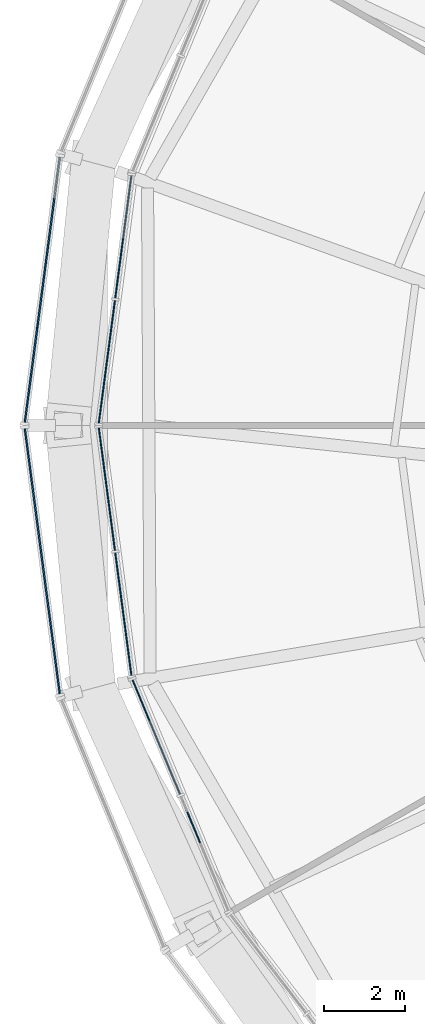
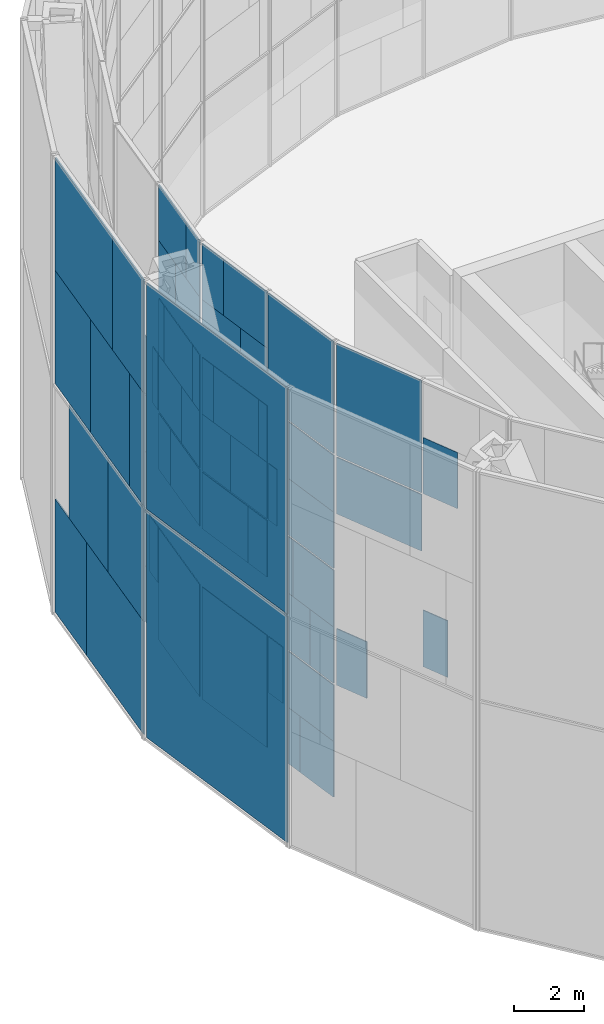
# One storey, part 16 of 30: 63 plates, 5 elements without a shape of their own.
"""IFC4 building model written with IfcOpenShell, lengths in metres."""

import ifcopenshell
import ifcopenshell.guid

model = None  # the IFC model being written
_history = None  # IfcOwnerHistory: only IFC2X3 demands one
_inside = {}  # id of a spatial element -> (the spatial element, [elements in it])
_under = {}  # id of a project, library or spatial element -> (it, [spatial elements below it])
_declared = {}  # id of a project -> (the project, [libraries it declares])
_typed = {}  # id of a type object -> (the type object, [elements of that type])
_made_of = {}  # id of a material, layer set ... -> (it, [elements and type objects made of it])


def new_model(schema):
    """Start an empty IFC model of exactly this schema.

    Asked for "IFC4X3", IfcOpenShell would pick the latest addendum, in which some entities
    have other attributes; the version numbers below select the first issue.
    IFC2X3 requires an IfcOwnerHistory on every rooted entity: one is made here for all.
    """
    global model, _history
    if schema == "IFC4X3":
        model = ifcopenshell.file(schema_version=(4, 3, 0, 0))
    else:
        model = ifcopenshell.file(schema=schema)
    _inside.clear()
    _under.clear()
    _declared.clear()
    _typed.clear()
    _made_of.clear()
    _history = None
    if model.schema == "IFC2X3":
        org = make("IfcOrganization", Name="unknown")
        user = make(
            "IfcPersonAndOrganization",
            ThePerson=make("IfcPerson", FamilyName="unknown"),
            TheOrganization=org,
        )
        app = make(
            "IfcApplication",
            ApplicationDeveloper=org,
            Version="unknown",
            ApplicationFullName="unknown",
            ApplicationIdentifier="unknown",
        )
        _history = make(
            "IfcOwnerHistory",
            OwningUser=user,
            OwningApplication=app,
            ChangeAction="ADDED",
            CreationDate=0,
        )
    return model


def make(cls, **values):
    """One entity of the class cls with the attributes given. An attribute that is None is left unset."""
    return model.create_entity(
        cls, **{name: value for name, value in values.items() if value is not None}
    )


def rooted(cls, **values):
    """An entity with a GlobalId (a new one), such as an element, a storey or a relation."""
    return make(cls, GlobalId=ifcopenshell.guid.new(), OwnerHistory=_history, **values)


def si_unit(unit_type, name, prefix=None):
    """IfcSIUnit, for example si_unit("LENGTHUNIT", "METRE", prefix="MILLI")."""
    return make("IfcSIUnit", UnitType=unit_type, Prefix=prefix, Name=name)


def assignment(units):
    """IfcUnitAssignment: the units of a project."""
    return None if units is None else make("IfcUnitAssignment", Units=units)


def point(xyz):
    """IfcCartesianPoint."""
    return None if xyz is None else make("IfcCartesianPoint", Coordinates=xyz)


def direction(xyz):
    """IfcDirection."""
    return None if xyz is None else make("IfcDirection", DirectionRatios=xyz)


def frame(location, z_axis=None, x_axis=None):
    """IfcAxis2Placement3D, a coordinate frame: its origin and axes. An axis left out is left unset."""
    return make(
        "IfcAxis2Placement3D",
        Location=point(location),
        Axis=direction(z_axis),
        RefDirection=direction(x_axis),
    )


def frame_2d(location, x_axis=None):
    """IfcAxis2Placement2D, a coordinate frame in the plane: its origin and x axis."""
    return make(
        "IfcAxis2Placement2D", Location=point(location), RefDirection=direction(x_axis)
    )


def origin():
    """The frame at (0, 0, 0) with its axes left unset."""
    return frame((0.0, 0.0, 0.0))


def origin_2d():
    """The frame at (0, 0) in the plane with its x axis left unset."""
    return frame_2d((0.0, 0.0))


def place(relative_to, where):
    """IfcLocalPlacement: puts the frame where relative to a parent placement (None: the world)."""
    return make(
        "IfcLocalPlacement", PlacementRelTo=relative_to, RelativePlacement=where
    )


def context(
    kind, dimensions, precision=None, world=None, true_north=None, identifier=None
):
    """IfcGeometricRepresentationContext, for example the 3D "Model" context."""
    return make(
        "IfcGeometricRepresentationContext",
        ContextIdentifier=identifier,
        ContextType=kind,
        CoordinateSpaceDimension=dimensions,
        Precision=precision,
        WorldCoordinateSystem=world,
        TrueNorth=true_north,
    )


def subcontext(parent, identifier, kind, view, scale=None):
    """IfcGeometricRepresentationSubContext, for example "Body" below "Model"."""
    return make(
        "IfcGeometricRepresentationSubContext",
        ContextIdentifier=identifier,
        ContextType=kind,
        ParentContext=parent,
        TargetScale=scale,
        TargetView=view,
    )


def project(units=None, contexts=None):
    """IfcProject with its units and contexts."""
    return rooted(
        "IfcProject",
        Name="project",
        RepresentationContexts=contexts,
        UnitsInContext=assignment(units),
    )


def spatial(cls, under=None, at=None, **own):
    """A site, building, storey or space (cls), placed at a placement, below another one or the project."""
    s = rooted(cls, ObjectPlacement=at, **own)
    if under is not None:
        _under.setdefault(under.id(), (under, []))[1].append(s)
    return s


def profile(cls, at=None, kind="AREA", **sizes):
    """A parametric profile (cls). Its sizes go by their IFC names, for example OverallWidth=200.0."""
    return make(cls, ProfileType=kind, Position=at, **sizes)


def rectangle(**sizes):
    """IfcRectangleProfileDef."""
    return profile("IfcRectangleProfileDef", **sizes)


def extrude(swept, where, along, depth):
    """IfcExtrudedAreaSolid: the profile swept, set in the frame where, extruded along a direction by depth."""
    return make(
        "IfcExtrudedAreaSolid",
        SweptArea=swept,
        Position=where,
        ExtrudedDirection=direction(along),
        Depth=depth,
    )


def shape(context_of_items, identifier, shape_type, items):
    """IfcShapeRepresentation: the items that make up one representation, for example the "Body"."""
    return make(
        "IfcShapeRepresentation",
        ContextOfItems=context_of_items,
        RepresentationIdentifier=identifier,
        RepresentationType=shape_type,
        Items=items,
    )


def material(Name=None, Category=None):
    """IfcMaterial."""
    return make("IfcMaterial", Name=Name, Category=Category)


def layer(
    of_material, thickness, ventilated=None, Name=None, Category=None, Priority=None
):
    """IfcMaterialLayer: one layer of a wall or slab, of a material (None: an air gap)."""
    return make(
        "IfcMaterialLayer",
        Material=of_material,
        LayerThickness=thickness,
        IsVentilated=ventilated,
        Name=Name,
        Category=Category,
        Priority=Priority,
    )


def layer_set(layers, Name=None):
    """IfcMaterialLayerSet."""
    return make("IfcMaterialLayerSet", MaterialLayers=layers, LayerSetName=Name)


def made_of(thing, what):
    """Note that an element or type object is made of a material, layer set ...; save() writes the relation."""
    if what is not None:
        _made_of.setdefault(what.id(), (what, []))[1].append(thing)
    return thing


def type_object(cls, material=None, **own):
    """A type object (cls), such as IfcWallType, which elements share."""
    return made_of(rooted(cls, **own), material)


def element(
    cls,
    number,
    at=None,
    inside=None,
    cuts=None,
    type_object=None,
    material=None,
    context=None,
    identifier="Body",
    shape_type=None,
    held_by="IfcProductDefinitionShape",
    body=None,
    shapes=None,
    **own,
):
    """One element of the class cls, such as IfcWall. Its Tag is "e" and its number.

    at: its placement. inside: the storey or other place that contains it. cuts: it is an
    opening in that element (IfcRelVoidsElement). A single representation is given by context,
    identifier, shape_type and body (its items); several are given by shapes. held_by: the class
    of the entity that holds the representations. save() writes the other relations.
    """
    e = rooted(cls, Tag="e%d" % number, ObjectPlacement=at, **own)
    if body is not None:
        shapes = [shape(context, identifier, shape_type, body)]
    if shapes is not None:
        e.Representation = make(held_by, Representations=shapes)
    if inside is not None:
        _inside.setdefault(inside.id(), (inside, []))[1].append(e)
    if cuts is not None:
        rooted(
            "IfcRelVoidsElement", RelatingBuildingElement=cuts, RelatedOpeningElement=e
        )
    if type_object is not None:
        _typed.setdefault(type_object.id(), (type_object, []))[1].append(e)
    return made_of(e, material)


def aggregate(whole, parts):
    """IfcRelAggregates: a whole, such as a stair, and the parts it consists of."""
    return rooted("IfcRelAggregates", RelatingObject=whole, RelatedObjects=parts)


def save(model, path):
    """Write the relations noted so far, then the file.

    IfcRelAggregates (storeys below a building ...), IfcRelContainedInSpatialStructure (elements
    in a storey), IfcRelDefinesByType, IfcRelAssociatesMaterial and IfcRelDeclares: one each for
    every whole, place, type object, material and project.
    """
    for whole, parts in _under.values():
        aggregate(whole, parts)
    for where, things in _inside.values():
        rooted(
            "IfcRelContainedInSpatialStructure",
            RelatedElements=things,
            RelatingStructure=where,
        )
    for kind, things in _typed.values():
        rooted("IfcRelDefinesByType", RelatedObjects=things, RelatingType=kind)
    for what, things in _made_of.values():
        rooted("IfcRelAssociatesMaterial", RelatedObjects=things, RelatingMaterial=what)
    for by, libraries in _declared.values():
        rooted("IfcRelDeclares", RelatingContext=by, RelatedDefinitions=libraries)
    model.write(path)


model = new_model("IFC4")

# Units and contexts
model_context = context("Model", 3, precision=1e-05, world=origin(), true_north=direction((0.0, 1.0)))
body_context = subcontext(model_context, "Body", "Model", "MODEL_VIEW")
ifc_project = project(units=[si_unit("LENGTHUNIT", "METRE"), si_unit("AREAUNIT", "SQUARE_METRE"), si_unit("VOLUMEUNIT", "CUBIC_METRE"), si_unit("PLANEANGLEUNIT", "RADIAN"), si_unit("MASSUNIT", "GRAM", prefix="KILO")], contexts=[model_context])

# Site, building, storey
site_placement = place(None, origin())
site = spatial("IfcSite", under=ifc_project, at=site_placement, CompositionType="ELEMENT")
building_placement = place(site_placement, origin())
building = spatial("IfcBuilding", under=site, at=building_placement, Name="Golbaran Civic Tower", CompositionType="ELEMENT")
storey_placement = place(building_placement, frame((0.0, 0.0, 167.0)))
storey = spatial("IfcBuildingStorey", under=building, at=storey_placement, Name="L40", CompositionType="ELEMENT", Elevation=167.0)

# Curtain wall, plates
ifc_material_1 = material(Name="Aluminium and glass", Category="aluminium")
curtain_wall_type_1 = type_object("IfcCurtainWallType", Name="INNER SKIN CURTAIN WALL EXECUTIVE", PredefinedType="NOTDEFINED", material=ifc_material_1)
curtain_wall_1_placement = place(storey_placement, origin())
curtain_wall_1 = element("IfcCurtainWall", 1, at=curtain_wall_1_placement, inside=storey, type_object=curtain_wall_type_1, Name="Inner skin L40 facet 12 CW2", ObjectType="INNER SKIN", PredefinedType="USERDEFINED")
ifc_material_2 = material(Name="Clear insulating glass", Category="glass")
ifc_layer_1 = layer(ifc_material_2, 0.031982421875, Name="Clear insulating glass")
ifc_layer_set_1 = layer_set([ifc_layer_1], Name="Clear insulating glass")
plate_type_1 = type_object("IfcPlateType", Name="INNER SKIN CURTAIN WALL EXECUTIVE GLAZED PANEL", PredefinedType="CURTAIN_PANEL", material=ifc_layer_set_1)
plate_1_placement = place(storey_placement, frame((-23.572265625, 3.879638671875, 0.06005859375), z_axis=(0.0, 0.0, 1.0), x_axis=(-0.130526192151, -0.991444861383, 0.0)))
plate_1 = element("IfcPlate", 2, at=plate_1_placement, type_object=plate_type_1, Name="CW2 panel 1.1 part 2", PredefinedType="CURTAIN_PANEL", context=body_context, shape_type="SweptSolid", body=[
    extrude(rectangle(XDim=1.4794921875, YDim=0.031982421875, at=origin_2d()), origin(), (0.0, 0.0, 1.0), 1.955078125),
])
plate_2_placement = place(storey_placement, frame((-23.624267578125, 3.485107421875, 2.014892578125), z_axis=(0.0, 0.0, 1.0), x_axis=(-0.130526192151, -0.991444861383, 0.0)))
plate_2 = element("IfcPlate", 3, at=plate_2_placement, type_object=plate_type_1, Name="CW2 panel 1.1 part 4", PredefinedType="CURTAIN_PANEL", context=body_context, shape_type="SweptSolid", body=[
    extrude(rectangle(XDim=0.683349609375, YDim=0.031982421875, at=origin_2d()), origin(), (0.0, 0.0, 1.0), 1.955078125),
])
plate_3_placement = place(storey_placement, frame((-23.443359375, 4.85888671875, 8.02978515625), z_axis=(0.0, 0.0, 1.0), x_axis=(-0.130526192151, -0.991444861383, 0.0)))
plate_3 = element("IfcPlate", 4, at=plate_3_placement, type_object=plate_type_1, Name="CW2 panel 1.3 part 1", PredefinedType="CURTAIN_PANEL", context=body_context, shape_type="SweptSolid", body=[
    extrude(rectangle(XDim=2.652099609375, YDim=0.031982421875, at=origin_2d()), origin(), (0.0, 0.0, 1.0), 1.969970703125),
])
plate_4_placement = place(storey_placement, frame((-23.8759765625, 1.5732421875, 0.06005859375), z_axis=(0.0, 0.0, 1.0), x_axis=(-0.130526192151, -0.991444861383, 0.0)))
plate_4 = element("IfcPlate", 5, at=plate_4_placement, type_object=plate_type_1, Name="CW2 panel 2.1", PredefinedType="CURTAIN_PANEL", context=body_context, shape_type="SweptSolid", body=[
    extrude(rectangle(XDim=3.053466796875, YDim=0.031982421875, at=origin_2d()), origin(), (0.0, 0.0, 1.0), 3.909912109375),
])
plate_5_placement = place(storey_placement, frame((-23.902099609375, 1.374267578125, 4.02978515625), z_axis=(0.0, 0.0, 1.0), x_axis=(-0.130526192151, -0.991444861383, 0.0)))
plate_5 = element("IfcPlate", 6, at=plate_5_placement, type_object=plate_type_1, Name="CW2 panel 2.2 part 2", PredefinedType="CURTAIN_PANEL", context=body_context, shape_type="SweptSolid", body=[
    extrude(rectangle(XDim=2.65234375, YDim=0.031982421875, at=origin_2d()), origin(), (0.0, 0.0, 1.0), 1.969970703125),
])
plate_6_placement = place(storey_placement, frame((-23.93359375, 1.134521484375, 6.0), z_axis=(0.0, 0.0, 1.0), x_axis=(-0.130526192151, -0.991444861383, 0.0)))
plate_6 = element("IfcPlate", 7, at=plate_6_placement, type_object=plate_type_1, Name="CW2 panel 2.2 part 4", PredefinedType="CURTAIN_PANEL", context=body_context, shape_type="SweptSolid", body=[
    extrude(rectangle(XDim=2.16845703125, YDim=0.031982421875, at=origin_2d()), origin(), (0.0, 0.0, 1.0), 1.969970703125),
])
plate_7_placement = place(storey_placement, frame((-23.987548828125, 0.724853515625, 8.02978515625), z_axis=(0.0, 0.0, 1.0), x_axis=(-0.130526192151, -0.991444861383, 0.0)))
plate_7 = element("IfcPlate", 8, at=plate_7_placement, type_object=plate_type_1, Name="CW2 panel 2.3 part 2", PredefinedType="CURTAIN_PANEL", context=body_context, shape_type="SweptSolid", body=[
    extrude(rectangle(XDim=1.342529296875, YDim=0.031982421875, at=origin_2d()), origin(), (0.0, 0.0, 1.0), 1.969970703125),
])
plate_8_placement = place(storey_placement, frame((-23.703125, 2.885009765625, 10.0), z_axis=(0.0, 0.0, 1.0), x_axis=(-0.130526192151, -0.991444861383, 0.0)))
plate_8 = element("IfcPlate", 9, at=plate_8_placement, type_object=plate_type_1, Name="CW2 panel 2.3 part 3", PredefinedType="CURTAIN_PANEL", context=body_context, shape_type="SweptSolid", body=[
    extrude(rectangle(XDim=0.406982421875, YDim=0.031982421875, at=origin_2d()), origin(), (0.0, 0.0, 1.0), 1.969970703125),
])
plate_9_placement = place(storey_placement, frame((-24.0400390625, 0.326904296875, 10.0), z_axis=(0.0, 0.0, 1.0), x_axis=(-0.130526192151, -0.991444861383, 0.0)))
plate_9 = element("IfcPlate", 10, at=plate_9_placement, type_object=plate_type_1, Name="CW2 panel 2.3 part 5", PredefinedType="CURTAIN_PANEL", context=body_context, shape_type="SweptSolid", body=[
    extrude(rectangle(XDim=0.53955078125, YDim=0.031982421875, at=origin_2d()), origin(), (0.0, 0.0, 1.0), 1.969970703125),
])
plate_10_placement = place(storey_placement, frame((-23.757080078125, 2.47509765625, 12.030029296875), z_axis=(0.0, 0.0, 1.0), x_axis=(-0.130526192151, -0.991444861383, 0.0)))
plate_10 = element("IfcPlate", 11, at=plate_10_placement, type_object=plate_type_1, Name="CW2 panel 2.4 part 1", PredefinedType="CURTAIN_PANEL", context=body_context, shape_type="SweptSolid", body=[
    extrude(rectangle(XDim=1.23388671875, YDim=0.031982421875, at=origin_2d()), origin(), (0.0, 0.0, 1.0), 1.955078125),
])
plate_11_placement = place(storey_placement, frame((-23.80908203125, 2.08056640625, 13.98486328125), z_axis=(0.0, 0.0, 1.0), x_axis=(-0.130526192151, -0.991444861383, 0.0)))
plate_11 = element("IfcPlate", 12, at=plate_11_placement, type_object=plate_type_1, Name="CW2 panel 2.4 part 3", PredefinedType="CURTAIN_PANEL", context=body_context, shape_type="SweptSolid", body=[
    extrude(rectangle(XDim=2.030029296875, YDim=0.031982421875, at=origin_2d()), origin(), (0.0, 0.0, 1.0), 1.955078125),
])

curtain_wall_2_placement = place(storey_placement, origin())
curtain_wall_2 = element("IfcCurtainWall", 13, at=curtain_wall_2_placement, inside=storey, type_object=curtain_wall_type_1, Name="Inner skin L40 facet 13 CW2", ObjectType="INNER SKIN", PredefinedType="USERDEFINED")
plate_12_placement = place(storey_placement, frame((-23.8759765625, -1.5732421875, 0.06005859375), z_axis=(0.0, 0.0, 1.0), x_axis=(0.130526192151, -0.991444861383, 0.0)))
plate_12 = element("IfcPlate", 14, at=plate_12_placement, type_object=plate_type_1, Name="CW2 panel 1.1", PredefinedType="CURTAIN_PANEL", context=body_context, shape_type="SweptSolid", body=[
    extrude(rectangle(XDim=3.053466796875, YDim=0.031982421875, at=origin_2d()), origin(), (0.0, 0.0, 1.0), 3.909912109375),
])
plate_13_placement = place(storey_placement, frame((-23.902099609375, -1.3740234375, 4.02978515625), z_axis=(0.0, 0.0, 1.0), x_axis=(0.130526192151, -0.991444861383, 0.0)))
plate_13 = element("IfcPlate", 15, at=plate_13_placement, type_object=plate_type_1, Name="CW2 panel 1.2 part 1", PredefinedType="CURTAIN_PANEL", context=body_context, shape_type="SweptSolid", body=[
    extrude(rectangle(XDim=2.652099609375, YDim=0.031982421875, at=origin_2d()), origin(), (0.0, 0.0, 1.0), 1.969970703125),
])
plate_14_placement = place(storey_placement, frame((-23.93359375, -1.134765625, 6.0), z_axis=(0.0, 0.0, 1.0), x_axis=(0.130526192151, -0.991444861383, 0.0)))
plate_14 = element("IfcPlate", 16, at=plate_14_placement, type_object=plate_type_1, Name="CW2 panel 1.2 part 3", PredefinedType="CURTAIN_PANEL", context=body_context, shape_type="SweptSolid", body=[
    extrude(rectangle(XDim=2.1689453125, YDim=0.031982421875, at=origin_2d()), origin(), (0.0, 0.0, 1.0), 1.969970703125),
])
plate_15_placement = place(storey_placement, frame((-23.987548828125, -0.724853515625, 8.02978515625), z_axis=(0.0, 0.0, 1.0), x_axis=(0.130526192151, -0.991444861383, 0.0)))
plate_15 = element("IfcPlate", 17, at=plate_15_placement, type_object=plate_type_1, Name="CW2 panel 1.3 part 1", PredefinedType="CURTAIN_PANEL", context=body_context, shape_type="SweptSolid", body=[
    extrude(rectangle(XDim=1.342041015625, YDim=0.031982421875, at=origin_2d()), origin(), (0.0, 0.0, 1.0), 1.969970703125),
])
plate_16_placement = place(storey_placement, frame((-24.0400390625, -0.3271484375, 10.0), z_axis=(0.0, 0.0, 1.0), x_axis=(0.130526192151, -0.991444861383, 0.0)))
plate_16 = element("IfcPlate", 18, at=plate_16_placement, type_object=plate_type_1, Name="CW2 panel 1.3 part 3", PredefinedType="CURTAIN_PANEL", context=body_context, shape_type="SweptSolid", body=[
    extrude(rectangle(XDim=0.5400390625, YDim=0.031982421875, at=origin_2d()), origin(), (0.0, 0.0, 1.0), 1.969970703125),
])
plate_17_placement = place(storey_placement, frame((-23.703125, -2.884765625, 10.0), z_axis=(0.0, 0.0, 1.0), x_axis=(0.130526192151, -0.991444861383, 0.0)))
plate_17 = element("IfcPlate", 19, at=plate_17_placement, type_object=plate_type_1, Name="CW2 panel 1.3 part 5", PredefinedType="CURTAIN_PANEL", context=body_context, shape_type="SweptSolid", body=[
    extrude(rectangle(XDim=0.407470703125, YDim=0.031982421875, at=origin_2d()), origin(), (0.0, 0.0, 1.0), 1.969970703125),
])
plate_18_placement = place(storey_placement, frame((-23.757080078125, -2.475341796875, 12.030029296875), z_axis=(0.0, 0.0, 1.0), x_axis=(0.130526192151, -0.991444861383, 0.0)))
plate_18 = element("IfcPlate", 20, at=plate_18_placement, type_object=plate_type_1, Name="CW2 panel 1.4 part 2", PredefinedType="CURTAIN_PANEL", context=body_context, shape_type="SweptSolid", body=[
    extrude(rectangle(XDim=1.2333984375, YDim=0.031982421875, at=origin_2d()), origin(), (0.0, 0.0, 1.0), 1.955078125),
])
plate_19_placement = place(storey_placement, frame((-23.80908203125, -2.080810546875, 13.98486328125), z_axis=(0.0, 0.0, 1.0), x_axis=(0.130526192151, -0.991444861383, 0.0)))
plate_19 = element("IfcPlate", 21, at=plate_19_placement, type_object=plate_type_1, Name="CW2 panel 1.4 part 4", PredefinedType="CURTAIN_PANEL", context=body_context, shape_type="SweptSolid", body=[
    extrude(rectangle(XDim=2.029541015625, YDim=0.031982421875, at=origin_2d()), origin(), (0.0, 0.0, 1.0), 1.955078125),
])
plate_20_placement = place(storey_placement, frame((-23.572265625, -3.8798828125, 0.06005859375), z_axis=(0.0, 0.0, 1.0), x_axis=(0.130526192151, -0.991444861383, 0.0)))
plate_20 = element("IfcPlate", 22, at=plate_20_placement, type_object=plate_type_1, Name="CW2 panel 2.1 part 1", PredefinedType="CURTAIN_PANEL", context=body_context, shape_type="SweptSolid", body=[
    extrude(rectangle(XDim=1.47998046875, YDim=0.031982421875, at=origin_2d()), origin(), (0.0, 0.0, 1.0), 1.955078125),
])
plate_21_placement = place(storey_placement, frame((-23.6240234375, -3.4853515625, 2.014892578125), z_axis=(0.0, 0.0, 1.0), x_axis=(0.130526192151, -0.991444861383, 0.0)))
plate_21 = element("IfcPlate", 23, at=plate_21_placement, type_object=plate_type_1, Name="CW2 panel 2.1 part 3", PredefinedType="CURTAIN_PANEL", context=body_context, shape_type="SweptSolid", body=[
    extrude(rectangle(XDim=0.68408203125, YDim=0.031982421875, at=origin_2d()), origin(), (0.0, 0.0, 1.0), 1.955078125),
])
plate_22_placement = place(storey_placement, frame((-23.34130859375, -5.633544921875, 4.02978515625), z_axis=(0.0, 0.0, 1.0), x_axis=(0.130526192151, -0.991444861383, 0.0)))
plate_22 = element("IfcPlate", 24, at=plate_22_placement, type_object=plate_type_1, Name="CW2 panel 2.2 part 2", PredefinedType="CURTAIN_PANEL", context=body_context, shape_type="SweptSolid", body=[
    extrude(rectangle(XDim=1.08935546875, YDim=0.031982421875, at=origin_2d()), origin(), (0.0, 0.0, 1.0), 1.969970703125),
])
plate_23_placement = place(storey_placement, frame((-23.393798828125, -5.235595703125, 6.0), z_axis=(0.0, 0.0, 1.0), x_axis=(0.130526192151, -0.991444861383, 0.0)))
plate_23 = element("IfcPlate", 25, at=plate_23_placement, type_object=plate_type_1, Name="CW2 panel 2.2 part 4", PredefinedType="CURTAIN_PANEL", context=body_context, shape_type="SweptSolid", body=[
    extrude(rectangle(XDim=1.892578125, YDim=0.031982421875, at=origin_2d()), origin(), (0.0, 0.0, 1.0), 1.969970703125),
])
plate_24_placement = place(storey_placement, frame((-23.443359375, -4.85888671875, 8.02978515625), z_axis=(0.0, 0.0, 1.0), x_axis=(0.130526192151, -0.991444861383, 0.0)))
plate_24 = element("IfcPlate", 26, at=plate_24_placement, type_object=plate_type_1, Name="CW2 panel 2.3 part 2", PredefinedType="CURTAIN_PANEL", context=body_context, shape_type="SweptSolid", body=[
    extrude(rectangle(XDim=2.65234375, YDim=0.031982421875, at=origin_2d()), origin(), (0.0, 0.0, 1.0), 1.969970703125),
])
plate_25_placement = place(storey_placement, frame((-23.469482421875, -4.659912109375, 10.0), z_axis=(0.0, 0.0, 1.0), x_axis=(0.130526192151, -0.991444861383, 0.0)))
plate_25 = element("IfcPlate", 27, at=plate_25_placement, type_object=plate_type_1, Name="CW2 panel 2.3 part 3", PredefinedType="CURTAIN_PANEL", context=body_context, shape_type="SweptSolid", body=[
    extrude(rectangle(XDim=3.053466796875, YDim=0.031982421875, at=origin_2d()), origin(), (0.0, 0.0, 1.0), 1.969970703125),
])
plate_26_placement = place(storey_placement, frame((-23.469482421875, -4.659912109375, 12.0302734375), z_axis=(0.0, 0.0, 1.0), x_axis=(0.130526192151, -0.991444861383, 0.0)))
plate_26 = element("IfcPlate", 28, at=plate_26_placement, type_object=plate_type_1, Name="CW2 panel 2.4", PredefinedType="CURTAIN_PANEL", context=body_context, shape_type="SweptSolid", body=[
    extrude(rectangle(XDim=3.053466796875, YDim=0.031982421875, at=origin_2d()), origin(), (0.0, 0.0, 1.0), 3.909912109375),
])

curtain_wall_3_placement = place(storey_placement, origin())
curtain_wall_3 = element("IfcCurtainWall", 29, at=curtain_wall_3_placement, inside=storey, type_object=curtain_wall_type_1, Name="Inner skin L40 facet 14 CW2", ObjectType="INNER SKIN", PredefinedType="USERDEFINED")
plate_27_placement = place(storey_placement, frame((-23.03076171875, -6.7919921875, 4.02978515625), z_axis=(0.0, 0.0, 1.0), x_axis=(0.382683432462, -0.923879532471, 0.0)))
plate_27 = element("IfcPlate", 30, at=plate_27_placement, type_object=plate_type_1, Name="CW2 panel 1.2 part 1", PredefinedType="CURTAIN_PANEL", context=body_context, shape_type="SweptSolid", body=[
    extrude(rectangle(XDim=1.090087890625, YDim=0.031982421875, at=origin_2d()), origin(), (0.0, 0.0, 1.0), 1.969970703125),
])
plate_28_placement = place(storey_placement, frame((-22.6552734375, -7.698974609375, 10.0), z_axis=(0.0, 0.0, 1.0), x_axis=(0.382683432462, -0.923879532471, 0.0)))
plate_28 = element("IfcPlate", 31, at=plate_28_placement, type_object=plate_type_1, Name="CW2 panel 1.3 part 3", PredefinedType="CURTAIN_PANEL", context=body_context, shape_type="SweptSolid", body=[
    extrude(rectangle(XDim=3.053466796875, YDim=0.031982421875, at=origin_2d()), origin(), (0.0, 0.0, 1.0), 1.969970703125),
])
plate_29_placement = place(storey_placement, frame((-22.6552734375, -7.698974609375, 12.0302734375), z_axis=(0.0, 0.0, 1.0), x_axis=(0.382683432462, -0.923879532471, 0.0)))
plate_29 = element("IfcPlate", 32, at=plate_29_placement, type_object=plate_type_1, Name="CW2 panel 1.4", PredefinedType="CURTAIN_PANEL", context=body_context, shape_type="SweptSolid", body=[
    extrude(rectangle(XDim=3.053466796875, YDim=0.031982421875, at=origin_2d()), origin(), (0.0, 0.0, 1.0), 3.909912109375),
])
plate_30_placement = place(storey_placement, frame((-21.811767578125, -9.735107421875, 12.030029296875), z_axis=(0.0, 0.0, 1.0), x_axis=(0.382683432462, -0.923879532471, 0.0)))
plate_30 = element("IfcPlate", 33, at=plate_30_placement, type_object=plate_type_1, Name="CW2 panel 2.4 part 1", PredefinedType="CURTAIN_PANEL", context=body_context, shape_type="SweptSolid", body=[
    extrude(rectangle(XDim=1.23388671875, YDim=0.031982421875, at=origin_2d()), origin(), (0.0, 0.0, 1.0), 1.955078125),
])

# Plate
ifc_material_3 = material(Name="Aluminium faced opaque infill panel", Category="aluminium")
ifc_layer_2 = layer(ifc_material_3, 0.031982421875, Name="Aluminium faced opaque infill panel")
ifc_layer_set_2 = layer_set([ifc_layer_2], Name="Aluminium faced opaque infill panel")
plate_type_2 = type_object("IfcPlateType", Name="INNER SKIN CURTAIN WALL EXECUTIVE OPAQUE INFILL PANEL", PredefinedType="CURTAIN_PANEL", material=ifc_layer_set_2)
plate_31_placement = place(storey_placement, frame((-23.4248046875, 4.998779296875, 2.014892578125), z_axis=(0.0, 0.0, 1.0), x_axis=(-0.130526192151, -0.991444861383, 0.0)))
plate_31 = element("IfcPlate", 34, at=plate_31_placement, type_object=plate_type_2, Name="CW2 infill panel 1.1 part 3", PredefinedType="CURTAIN_PANEL", context=body_context, shape_type="SweptSolid", body=[
    extrude(rectangle(XDim=2.3701171875, YDim=0.031982421875, at=origin_2d()), origin(), (0.0, 0.0, 1.0), 1.955078125),
])

plate_32_placement = place(storey_placement, frame((-23.54052734375, 4.11962890625, 4.02978515625), z_axis=(0.0, 0.0, 1.0), x_axis=(-0.130526192151, -0.991444861383, 0.0)))
plate_32 = element("IfcPlate", 35, at=plate_32_placement, type_object=plate_type_2, Name="CW2 infill panel 1.2 part 2", PredefinedType="CURTAIN_PANEL", context=body_context, shape_type="SweptSolid", body=[
    extrude(rectangle(XDim=1.96337890625, YDim=0.031982421875, at=origin_2d()), origin(), (0.0, 0.0, 1.0), 1.969970703125),
])

plate_33_placement = place(storey_placement, frame((-23.593017578125, 3.72216796875, 6.0), z_axis=(0.0, 0.0, 1.0), x_axis=(-0.130526192151, -0.991444861383, 0.0)))
plate_33 = element("IfcPlate", 36, at=plate_33_placement, type_object=plate_type_2, Name="CW2 infill panel 1.2 part 4", PredefinedType="CURTAIN_PANEL", context=body_context, shape_type="SweptSolid", body=[
    extrude(rectangle(XDim=1.161376953125, YDim=0.031982421875, at=origin_2d()), origin(), (0.0, 0.0, 1.0), 1.969970703125),
])

plate_34_placement = place(storey_placement, frame((-23.642578125, 3.34521484375, 8.02978515625), z_axis=(0.0, 0.0, 1.0), x_axis=(-0.130526192151, -0.991444861383, 0.0)))
plate_34 = element("IfcPlate", 37, at=plate_34_placement, type_object=plate_type_2, Name="CW2 infill panel 1.3 part 2", PredefinedType="CURTAIN_PANEL", context=body_context, shape_type="SweptSolid", body=[
    extrude(rectangle(XDim=0.4013671875, YDim=0.031982421875, at=origin_2d()), origin(), (0.0, 0.0, 1.0), 1.969970703125),
])

plate_35_placement = place(storey_placement, frame((-23.702880859375, 2.887939453125, 4.02978515625), z_axis=(0.0, 0.0, 1.0), x_axis=(-0.130526192151, -0.991444861383, 0.0)))
plate_35 = element("IfcPlate", 38, at=plate_35_placement, type_object=plate_type_2, Name="CW2 infill panel 2.2 part 1", PredefinedType="CURTAIN_PANEL", context=body_context, shape_type="SweptSolid", body=[
    extrude(rectangle(XDim=0.40087890625, YDim=0.031982421875, at=origin_2d()), origin(), (0.0, 0.0, 1.0), 1.969970703125),
])

plate_36_placement = place(storey_placement, frame((-23.734375, 2.648193359375, 6.0), z_axis=(0.0, 0.0, 1.0), x_axis=(-0.130526192151, -0.991444861383, 0.0)))
plate_36 = element("IfcPlate", 39, at=plate_36_placement, type_object=plate_type_2, Name="CW2 infill panel 2.2 part 3", PredefinedType="CURTAIN_PANEL", context=body_context, shape_type="SweptSolid", body=[
    extrude(rectangle(XDim=0.885009765625, YDim=0.031982421875, at=origin_2d()), origin(), (0.0, 0.0, 1.0), 1.969970703125),
])

plate_37_placement = place(storey_placement, frame((-23.788330078125, 2.238525390625, 8.02978515625), z_axis=(0.0, 0.0, 1.0), x_axis=(-0.130526192151, -0.991444861383, 0.0)))
plate_37 = element("IfcPlate", 40, at=plate_37_placement, type_object=plate_type_2, Name="CW2 infill panel 2.3 part 1", PredefinedType="CURTAIN_PANEL", context=body_context, shape_type="SweptSolid", body=[
    extrude(rectangle(XDim=1.7109375, YDim=0.031982421875, at=origin_2d()), origin(), (0.0, 0.0, 1.0), 1.969970703125),
])

plate_38_placement = place(storey_placement, frame((-23.8671875, 1.638916015625, 10.0), z_axis=(0.0, 0.0, 1.0), x_axis=(-0.130526192151, -0.991444861383, 0.0)))
plate_38 = element("IfcPlate", 41, at=plate_38_placement, type_object=plate_type_2, Name="CW2 infill panel 2.3 part 4", PredefinedType="CURTAIN_PANEL", context=body_context, shape_type="SweptSolid", body=[
    extrude(rectangle(XDim=2.10693359375, YDim=0.031982421875, at=origin_2d()), origin(), (0.0, 0.0, 1.0), 1.969970703125),
])

plate_39_placement = place(storey_placement, frame((-23.95654296875, 0.96142578125, 12.030029296875), z_axis=(0.0, 0.0, 1.0), x_axis=(-0.130526192151, -0.991444861383, 0.0)))
plate_39 = element("IfcPlate", 42, at=plate_39_placement, type_object=plate_type_2, Name="CW2 infill panel 2.4 part 2", PredefinedType="CURTAIN_PANEL", context=body_context, shape_type="SweptSolid", body=[
    extrude(rectangle(XDim=1.819580078125, YDim=0.031982421875, at=origin_2d()), origin(), (0.0, 0.0, 1.0), 1.955078125),
])

plate_40_placement = place(storey_placement, frame((-24.00830078125, 0.56689453125, 13.98486328125), z_axis=(0.0, 0.0, 1.0), x_axis=(-0.130526192151, -0.991444861383, 0.0)))
plate_40 = element("IfcPlate", 43, at=plate_40_placement, type_object=plate_type_2, Name="CW2 infill panel 2.4 part 4", PredefinedType="CURTAIN_PANEL", context=body_context, shape_type="SweptSolid", body=[
    extrude(rectangle(XDim=1.0234375, YDim=0.031982421875, at=origin_2d()), origin(), (0.0, 0.0, 1.0), 1.955078125),
])

aggregate(curtain_wall_1, [plate_1, plate_31, plate_2, plate_32, plate_33, plate_3, plate_34, plate_4, plate_35, plate_5, plate_36, plate_6, plate_37, plate_7, plate_8, plate_38, plate_9, plate_10, plate_39, plate_11, plate_40])

plate_41_placement = place(storey_placement, frame((-23.702880859375, -2.8876953125, 4.02978515625), z_axis=(0.0, 0.0, 1.0), x_axis=(0.130526192151, -0.991444861383, 0.0)))
plate_41 = element("IfcPlate", 44, at=plate_41_placement, type_object=plate_type_2, Name="CW2 infill panel 1.2 part 2", PredefinedType="CURTAIN_PANEL", context=body_context, shape_type="SweptSolid", body=[
    extrude(rectangle(XDim=0.4013671875, YDim=0.031982421875, at=origin_2d()), origin(), (0.0, 0.0, 1.0), 1.969970703125),
])

plate_42_placement = place(storey_placement, frame((-23.734375, -2.6484375, 6.0), z_axis=(0.0, 0.0, 1.0), x_axis=(0.130526192151, -0.991444861383, 0.0)))
plate_42 = element("IfcPlate", 45, at=plate_42_placement, type_object=plate_type_2, Name="CW2 infill panel 1.2 part 4", PredefinedType="CURTAIN_PANEL", context=body_context, shape_type="SweptSolid", body=[
    extrude(rectangle(XDim=0.884521484375, YDim=0.031982421875, at=origin_2d()), origin(), (0.0, 0.0, 1.0), 1.969970703125),
])

plate_43_placement = place(storey_placement, frame((-23.788330078125, -2.238525390625, 8.02978515625), z_axis=(0.0, 0.0, 1.0), x_axis=(0.130526192151, -0.991444861383, 0.0)))
plate_43 = element("IfcPlate", 46, at=plate_43_placement, type_object=plate_type_2, Name="CW2 infill panel 1.3 part 2", PredefinedType="CURTAIN_PANEL", context=body_context, shape_type="SweptSolid", body=[
    extrude(rectangle(XDim=1.71142578125, YDim=0.031982421875, at=origin_2d()), origin(), (0.0, 0.0, 1.0), 1.969970703125),
])

plate_44_placement = place(storey_placement, frame((-23.8671875, -1.638916015625, 10.0), z_axis=(0.0, 0.0, 1.0), x_axis=(0.130526192151, -0.991444861383, 0.0)))
plate_44 = element("IfcPlate", 47, at=plate_44_placement, type_object=plate_type_2, Name="CW2 infill panel 1.3 part 4", PredefinedType="CURTAIN_PANEL", context=body_context, shape_type="SweptSolid", body=[
    extrude(rectangle(XDim=2.10595703125, YDim=0.031982421875, at=origin_2d()), origin(), (0.0, 0.0, 1.0), 1.969970703125),
])

plate_45_placement = place(storey_placement, frame((-23.956298828125, -0.961669921875, 12.030029296875), z_axis=(0.0, 0.0, 1.0), x_axis=(0.130526192151, -0.991444861383, 0.0)))
plate_45 = element("IfcPlate", 48, at=plate_45_placement, type_object=plate_type_2, Name="CW2 infill panel 1.4 part 1", PredefinedType="CURTAIN_PANEL", context=body_context, shape_type="SweptSolid", body=[
    extrude(rectangle(XDim=1.820068359375, YDim=0.031982421875, at=origin_2d()), origin(), (0.0, 0.0, 1.0), 1.955078125),
])

plate_46_placement = place(storey_placement, frame((-24.00830078125, -0.567138671875, 13.98486328125), z_axis=(0.0, 0.0, 1.0), x_axis=(0.130526192151, -0.991444861383, 0.0)))
plate_46 = element("IfcPlate", 49, at=plate_46_placement, type_object=plate_type_2, Name="CW2 infill panel 1.4 part 3", PredefinedType="CURTAIN_PANEL", context=body_context, shape_type="SweptSolid", body=[
    extrude(rectangle(XDim=1.02392578125, YDim=0.031982421875, at=origin_2d()), origin(), (0.0, 0.0, 1.0), 1.955078125),
])

plate_47_placement = place(storey_placement, frame((-23.372802734375, -5.3935546875, 0.06005859375), z_axis=(0.0, 0.0, 1.0), x_axis=(0.130526192151, -0.991444861383, 0.0)))
plate_47 = element("IfcPlate", 50, at=plate_47_placement, type_object=plate_type_2, Name="CW2 infill panel 2.1 part 2", PredefinedType="CURTAIN_PANEL", context=body_context, shape_type="SweptSolid", body=[
    extrude(rectangle(XDim=1.573486328125, YDim=0.031982421875, at=origin_2d()), origin(), (0.0, 0.0, 1.0), 1.955078125),
])

plate_48_placement = place(storey_placement, frame((-23.4248046875, -4.9990234375, 2.014892578125), z_axis=(0.0, 0.0, 1.0), x_axis=(0.130526192151, -0.991444861383, 0.0)))
plate_48 = element("IfcPlate", 51, at=plate_48_placement, type_object=plate_type_2, Name="CW2 infill panel 2.1 part 4", PredefinedType="CURTAIN_PANEL", context=body_context, shape_type="SweptSolid", body=[
    extrude(rectangle(XDim=2.369384765625, YDim=0.031982421875, at=origin_2d()), origin(), (0.0, 0.0, 1.0), 1.955078125),
])

plate_49_placement = place(storey_placement, frame((-23.54052734375, -4.119873046875, 4.02978515625), z_axis=(0.0, 0.0, 1.0), x_axis=(0.130526192151, -0.991444861383, 0.0)))
plate_49 = element("IfcPlate", 52, at=plate_49_placement, type_object=plate_type_2, Name="CW2 infill panel 2.2 part 1", PredefinedType="CURTAIN_PANEL", context=body_context, shape_type="SweptSolid", body=[
    extrude(rectangle(XDim=1.964111328125, YDim=0.031982421875, at=origin_2d()), origin(), (0.0, 0.0, 1.0), 1.969970703125),
])

plate_50_placement = place(storey_placement, frame((-23.593017578125, -3.721923828125, 6.0), z_axis=(0.0, 0.0, 1.0), x_axis=(0.130526192151, -0.991444861383, 0.0)))
plate_50 = element("IfcPlate", 53, at=plate_50_placement, type_object=plate_type_2, Name="CW2 infill panel 2.2 part 3", PredefinedType="CURTAIN_PANEL", context=body_context, shape_type="SweptSolid", body=[
    extrude(rectangle(XDim=1.160888671875, YDim=0.031982421875, at=origin_2d()), origin(), (0.0, 0.0, 1.0), 1.969970703125),
])

plate_51_placement = place(storey_placement, frame((-23.642578125, -3.34521484375, 8.02978515625), z_axis=(0.0, 0.0, 1.0), x_axis=(0.130526192151, -0.991444861383, 0.0)))
plate_51 = element("IfcPlate", 54, at=plate_51_placement, type_object=plate_type_2, Name="CW2 infill panel 2.3 part 1", PredefinedType="CURTAIN_PANEL", context=body_context, shape_type="SweptSolid", body=[
    extrude(rectangle(XDim=0.40087890625, YDim=0.031982421875, at=origin_2d()), origin(), (0.0, 0.0, 1.0), 1.969970703125),
])

aggregate(curtain_wall_2, [plate_12, plate_13, plate_41, plate_14, plate_42, plate_15, plate_43, plate_16, plate_44, plate_17, plate_45, plate_18, plate_46, plate_19, plate_20, plate_47, plate_21, plate_48, plate_49, plate_22, plate_50, plate_23, plate_51, plate_24, plate_25, plate_26])

plate_52_placement = place(storey_placement, frame((-21.878662109375, -9.573974609375, 6.0), z_axis=(0.0, 0.0, 1.0), x_axis=(0.382683432462, -0.923879532471, 0.0)))
plate_52 = element("IfcPlate", 55, at=plate_52_placement, type_object=plate_type_2, Name="CW2 infill panel 2.2 part 3", PredefinedType="CURTAIN_PANEL", context=body_context, shape_type="SweptSolid", body=[
    extrude(rectangle(XDim=0.885009765625, YDim=0.031982421875, at=origin_2d()), origin(), (0.0, 0.0, 1.0), 1.969970703125),
])

aggregate(curtain_wall_3, [plate_27, plate_28, plate_29, plate_52, plate_30])

# Curtain wall, plates
curtain_wall_type_2 = type_object("IfcCurtainWallType", Name="OUTER SKIN TERRACOTTA SCREEN", PredefinedType="NOTDEFINED", material=ifc_material_1)
curtain_wall_4_placement = place(storey_placement, origin())
curtain_wall_4 = element("IfcCurtainWall", 56, at=curtain_wall_4_placement, inside=storey, type_object=curtain_wall_type_2, Name="Outer skin L40 facet 12 CW3", ObjectType="OUTER SKIN", PredefinedType="USERDEFINED")
ifc_material_4 = material(Name="Clear laminated glass", Category="glass")
ifc_layer_3 = layer(ifc_material_4, 0.0400390625, Name="Clear laminated glass")
ifc_layer_set_3 = layer_set([ifc_layer_3], Name="Clear laminated glass")
plate_type_3 = type_object("IfcPlateType", Name="OUTER SKIN CLEAR GLASS PANEL", PredefinedType="CURTAIN_PANEL", material=ifc_layer_set_3)
plate_53_placement = place(storey_placement, frame((-25.623046875, 2.203369140625, -0.6298828125), z_axis=(0.0, 0.0, 1.0), x_axis=(-0.130526192168, -0.991444861381, 0.0)))
plate_53 = element("IfcPlate", 57, at=plate_53_placement, type_object=plate_type_3, Name="CW3 panel 1.1 part 2", PredefinedType="CURTAIN_PANEL", context=body_context, shape_type="SweptSolid", body=[
    extrude(rectangle(XDim=4.28466796875, YDim=0.0400390625, at=origin_2d()), origin(), (0.0, 0.0, 1.0), 3.93994140625),
])
plate_54_placement = place(storey_placement, frame((-25.7275390625, 1.408203125, 3.31005859375), z_axis=(0.0, 0.0, 1.0), x_axis=(-0.130526192168, -0.991444861381, 0.0)))
plate_54 = element("IfcPlate", 58, at=plate_54_placement, type_object=plate_type_3, Name="CW3 panel 1.1 part 5", PredefinedType="CURTAIN_PANEL", context=body_context, shape_type="SweptSolid", body=[
    extrude(rectangle(XDim=2.6806640625, YDim=0.0400390625, at=origin_2d()), origin(), (0.0, 0.0, 1.0), 3.93994140625),
])
plate_55_placement = place(storey_placement, frame((-25.213623046875, 5.312744140625, 7.330078125), z_axis=(0.0, 0.0, 1.0), x_axis=(-0.130526192168, -0.991444861381, 0.0)))
plate_55 = element("IfcPlate", 59, at=plate_55_placement, type_object=plate_type_3, Name="CW3 panel 1.2 part 1", PredefinedType="CURTAIN_PANEL", context=body_context, shape_type="SweptSolid", body=[
    extrude(rectangle(XDim=2.652099609375, YDim=0.0400390625, at=origin_2d()), origin(), (0.0, 0.0, 1.0), 3.93994140625),
])
plate_56_placement = place(storey_placement, frame((-25.83447265625, 0.5966796875, 7.330078125), z_axis=(0.0, 0.0, 1.0), x_axis=(-0.130526192168, -0.991444861381, 0.0)))
plate_56 = element("IfcPlate", 60, at=plate_56_placement, type_object=plate_type_3, Name="CW3 panel 1.2 part 3", PredefinedType="CURTAIN_PANEL", context=body_context, shape_type="SweptSolid", body=[
    extrude(rectangle(XDim=1.043701171875, YDim=0.0400390625, at=origin_2d()), origin(), (0.0, 0.0, 1.0), 3.93994140625),
])
plate_57_placement = place(storey_placement, frame((-25.318359375, 4.5166015625, 11.27001953125), z_axis=(0.0, 0.0, 1.0), x_axis=(-0.130526192168, -0.991444861381, 0.0)))
plate_57 = element("IfcPlate", 61, at=plate_57_placement, type_object=plate_type_3, Name="CW3 panel 1.2 part 4", PredefinedType="CURTAIN_PANEL", context=body_context, shape_type="SweptSolid", body=[
    extrude(rectangle(XDim=4.258056640625, YDim=0.0400390625, at=origin_2d()), origin(), (0.0, 0.0, 1.0), 3.93994140625),
])
ifc_material_5 = material(Name="Terracotta baguette screen", Category="masonry")
ifc_layer_4 = layer(ifc_material_5, 0.0400390625, Name="Terracotta baguette screen")
ifc_layer_set_4 = layer_set([ifc_layer_4], Name="Terracotta baguette screen")
plate_type_4 = type_object("IfcPlateType", Name="OUTER SKIN TERRACOTTA INFILL PANEL", PredefinedType="CURTAIN_PANEL", material=ifc_layer_set_4)
plate_58_placement = place(storey_placement, frame((-25.19189453125, 5.477294921875, -0.6298828125), z_axis=(0.0, 0.0, 1.0), x_axis=(-0.130526192168, -0.991444861381, 0.0)))
plate_58 = element("IfcPlate", 62, at=plate_58_placement, type_object=plate_type_4, Name="CW3 infill panel 1.1 part 1", PredefinedType="CURTAIN_PANEL", context=body_context, shape_type="SweptSolid", body=[
    extrude(rectangle(XDim=2.320068359375, YDim=0.0400390625, at=origin_2d()), origin(), (0.0, 0.0, 1.0), 3.93994140625),
])
plate_59_placement = place(storey_placement, frame((-25.36279296875, 4.1787109375, 3.31005859375), z_axis=(0.0, 0.0, 1.0), x_axis=(-0.130526192168, -0.991444861381, 0.0)))
plate_59 = element("IfcPlate", 63, at=plate_59_placement, type_object=plate_type_4, Name="CW3 infill panel 1.1 part 4", PredefinedType="CURTAIN_PANEL", context=body_context, shape_type="SweptSolid", body=[
    extrude(rectangle(XDim=2.907958984375, YDim=0.0400390625, at=origin_2d()), origin(), (0.0, 0.0, 1.0), 3.93994140625),
])
plate_60_placement = place(storey_placement, frame((-25.576416015625, 2.55615234375, 7.330078125), z_axis=(0.0, 0.0, 1.0), x_axis=(-0.130526192168, -0.991444861381, 0.0)))
plate_60 = element("IfcPlate", 64, at=plate_60_placement, type_object=plate_type_4, Name="CW3 infill panel 1.2 part 2", PredefinedType="CURTAIN_PANEL", context=body_context, shape_type="SweptSolid", body=[
    extrude(rectangle(XDim=2.908935546875, YDim=0.0400390625, at=origin_2d()), origin(), (0.0, 0.0, 1.0), 3.93994140625),
])
plate_61_placement = place(storey_placement, frame((-25.74951171875, 1.24267578125, 11.27001953125), z_axis=(0.0, 0.0, 1.0), x_axis=(-0.130526192168, -0.991444861381, 0.0)))
plate_61 = element("IfcPlate", 65, at=plate_61_placement, type_object=plate_type_4, Name="CW3 infill panel 1.2 part 5", PredefinedType="CURTAIN_PANEL", context=body_context, shape_type="SweptSolid", body=[
    extrude(rectangle(XDim=2.3466796875, YDim=0.0400390625, at=origin_2d()), origin(), (0.0, 0.0, 1.0), 3.93994140625),
])
aggregate(curtain_wall_4, [plate_58, plate_53, plate_59, plate_54, plate_55, plate_60, plate_56, plate_57, plate_61])

curtain_wall_5_placement = place(storey_placement, origin())
curtain_wall_5 = element("IfcCurtainWall", 66, at=curtain_wall_5_placement, inside=storey, type_object=curtain_wall_type_2, Name="Outer skin L40 facet 13 CW3", ObjectType="OUTER SKIN", PredefinedType="USERDEFINED")
ifc_layer_5 = layer(ifc_material_5, 0.0400390625, Name="Terracotta baguette screen")
ifc_layer_set_5 = layer_set([ifc_layer_5], Name="Terracotta baguette screen")
plate_type_5 = type_object("IfcPlateType", Name="OUTER SKIN TERRACOTTA SCREEN PANEL", PredefinedType="CURTAIN_PANEL", material=ifc_layer_set_5)
plate_62_placement = place(storey_placement, frame((-25.471435546875, -3.353271484375, -0.6298828125), z_axis=(0.0, 0.0, 1.0), x_axis=(0.130526192168, -0.991444861381, 0.0)))
plate_62 = element("IfcPlate", 67, at=plate_62_placement, type_object=plate_type_5, Name="CW3 terracotta screen panel 1.1", PredefinedType="CURTAIN_PANEL", context=body_context, shape_type="SweptSolid", body=[
    extrude(rectangle(XDim=6.604736328125, YDim=0.0400390625, at=origin_2d()), origin(), (0.0, 0.0, 1.0), 7.8798828125),
])
plate_63_placement = place(storey_placement, frame((-25.471435546875, -3.353271484375, 7.330078125), z_axis=(0.0, 0.0, 1.0), x_axis=(0.130526192168, -0.991444861381, 0.0)))
plate_63 = element("IfcPlate", 68, at=plate_63_placement, type_object=plate_type_5, Name="CW3 terracotta screen panel 1.2", PredefinedType="CURTAIN_PANEL", context=body_context, shape_type="SweptSolid", body=[
    extrude(rectangle(XDim=6.604736328125, YDim=0.0400390625, at=origin_2d()), origin(), (0.0, 0.0, 1.0), 7.8798828125),
])
aggregate(curtain_wall_5, [plate_62, plate_63])

save(model, "model.ifc")
